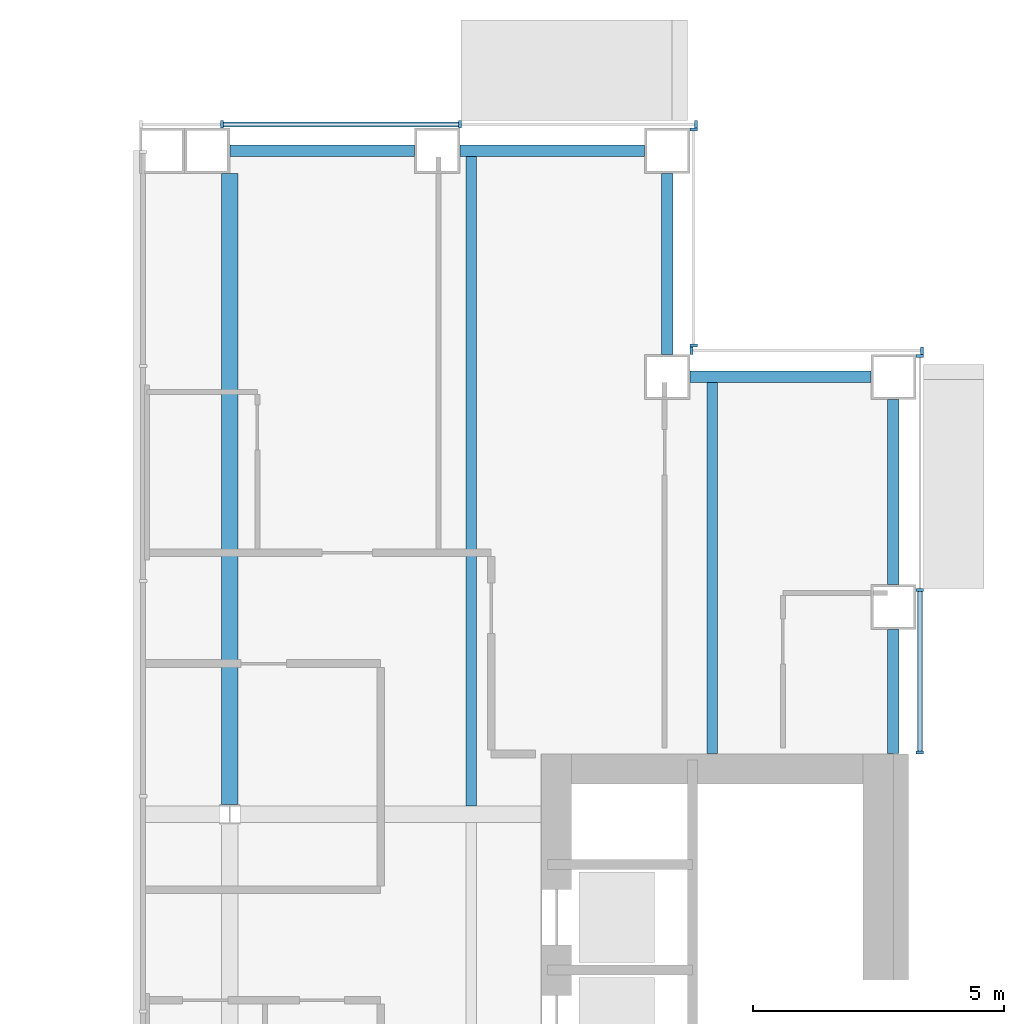
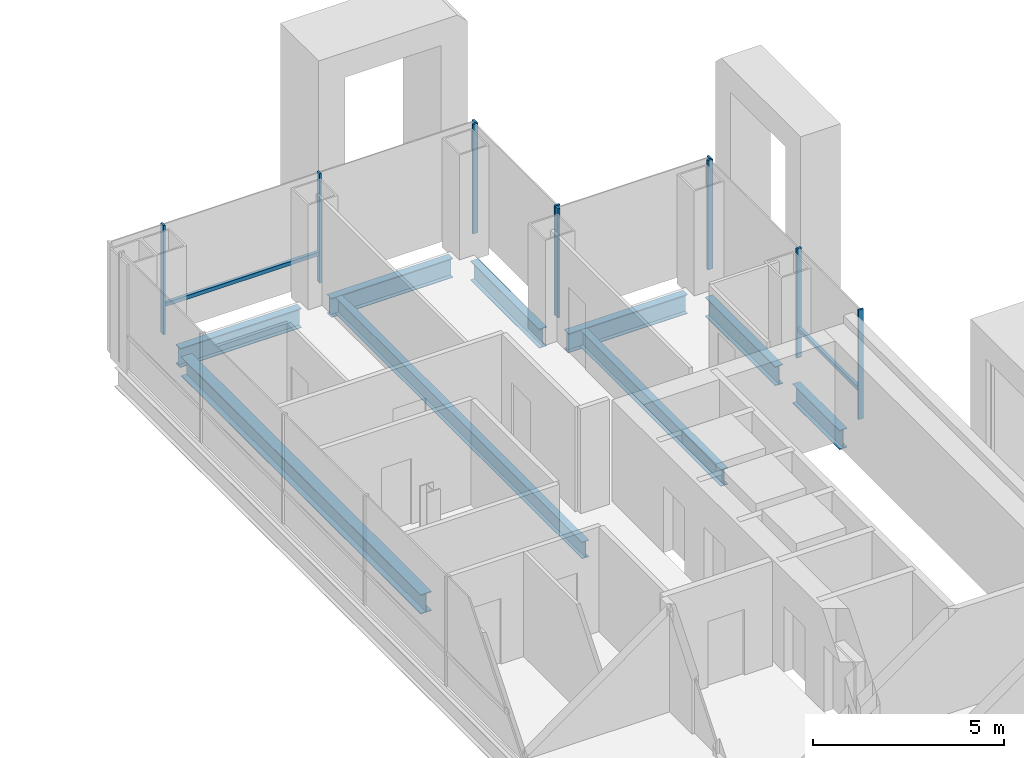
# One storey, part 9 of 20: 12 members, 9 beams, 4 elements without a shape of their own.
"""IFC4 building model written with IfcOpenShell, lengths in metres."""

from ifc_helpers import new_model, si_unit, direction, frame, origin, origin_2d, place, context, subcontext, project, spatial, rectangle, i_section, extrude, material, material_profile, profile_set, type_object, element, aggregate, save


model = new_model("IFC4")

# Units and contexts
model_context = context("Model", 3, precision=1e-05, world=origin(), true_north=direction((0.0, 1.0)))
body_context = subcontext(model_context, "Body", "Model", "MODEL_VIEW")
ifc_project = project(units=[si_unit("LENGTHUNIT", "METRE"), si_unit("AREAUNIT", "SQUARE_METRE"), si_unit("VOLUMEUNIT", "CUBIC_METRE"), si_unit("PLANEANGLEUNIT", "RADIAN"), si_unit("MASSUNIT", "GRAM", prefix="KILO")], contexts=[model_context])

# Site, building, storey
site_placement = place(None, origin())
site = spatial("IfcSite", under=ifc_project, at=site_placement, CompositionType="ELEMENT")
building_placement = place(site_placement, origin())
building = spatial("IfcBuilding", under=site, at=building_placement, Name="Cobrizo Arcos Hotel Tower", CompositionType="ELEMENT")
storey_placement = place(building_placement, frame((0.0, 0.0, 124.0)))
storey = spatial("IfcBuildingStorey", under=building, at=storey_placement, Name="L31", CompositionType="ELEMENT", Elevation=124.0)

# Curtain wall, members
ifc_material_1 = material(Name="Aluminium 6063-T6 anodised bronze", Category="aluminium")
curtain_wall_type = type_object("IfcCurtainWallType", Name="CW-A guest facade", PredefinedType="NOTDEFINED", material=ifc_material_1)
curtain_wall_1_placement = place(storey_placement, origin())
curtain_wall_1 = element("IfcCurtainWall", 1, at=curtain_wall_1_placement, inside=storey, type_object=curtain_wall_type, Name="CW-A L31 E face", PredefinedType="NOTDEFINED")
ifc_material_profile_1 = material_profile(ifc_material_1, rectangle(XDim=0.14990234375, YDim=0.06005859375, at=origin_2d()), Name="CW-A mullion 150x60")
ifc_profile_set_1 = profile_set([ifc_material_profile_1], Name="Aluminium 6063-T6 anodised bronze")
member_type_1 = type_object("IfcMemberType", Name="CW-A mullion 150x60", PredefinedType="MULLION", material=ifc_profile_set_1)
member_1_placement = place(storey_placement, frame((23.324951171875, 10.830078125, 0.0), z_axis=(0.0, 0.0, 1.0), x_axis=(1.0, 0.0, 0.0)))
member_1 = element("IfcMember", 2, at=member_1_placement, type_object=member_type_1, Name="CW-A mullion 1", PredefinedType="MULLION", context=body_context, shape_type="SweptSolid", body=[
    extrude(rectangle(XDim=0.14990234375, YDim=0.06005859375, at=origin_2d()), origin(), (0.0, 0.0, 1.0), 3.5),
])
member_2_placement = place(storey_placement, frame((23.324951171875, 14.0625, 0.0), z_axis=(0.0, 0.0, 1.0), x_axis=(1.0, 0.0, 0.0)))
member_2 = element("IfcMember", 3, at=member_2_placement, type_object=member_type_1, Name="CW-A mullion 2", PredefinedType="MULLION", context=body_context, shape_type="SweptSolid", body=[
    extrude(rectangle(XDim=0.14990234375, YDim=0.06005859375, at=origin_2d()), origin(), (0.0, 0.0, 1.0), 3.5),
])
member_3_placement = place(storey_placement, frame((23.324951171875, 18.719970703125, 0.0), z_axis=(0.0, 0.0, 1.0), x_axis=(1.0, 0.0, 0.0)))
member_3 = element("IfcMember", 4, at=member_3_placement, type_object=member_type_1, Name="CW-A mullion 3", PredefinedType="MULLION", context=body_context, shape_type="SweptSolid", body=[
    extrude(rectangle(XDim=0.14990234375, YDim=0.06005859375, at=origin_2d()), origin(), (0.0, 0.0, 1.0), 3.5),
])

curtain_wall_2_placement = place(storey_placement, origin())
curtain_wall_2 = element("IfcCurtainWall", 5, at=curtain_wall_2_placement, inside=storey, type_object=curtain_wall_type, Name="CW-A L31 N face", PredefinedType="NOTDEFINED")
member_4_placement = place(storey_placement, frame((23.3701171875, 18.824951171875, 0.0), z_axis=(0.0, 0.0, 1.0), x_axis=(0.0, 1.0, 0.0)))
member_4 = element("IfcMember", 6, at=member_4_placement, type_object=member_type_1, Name="CW-A mullion 1", PredefinedType="MULLION", context=body_context, shape_type="SweptSolid", body=[
    extrude(rectangle(XDim=0.14990234375, YDim=0.06005859375, at=origin_2d()), origin(), (0.0, 0.0, 1.0), 3.5),
])
member_5_placement = place(storey_placement, frame((18.780029296875, 18.824951171875, 0.0), z_axis=(0.0, 0.0, 1.0), x_axis=(0.0, 1.0, 0.0)))
member_5 = element("IfcMember", 7, at=member_5_placement, type_object=member_type_1, Name="CW-A mullion 2", PredefinedType="MULLION", context=body_context, shape_type="SweptSolid", body=[
    extrude(rectangle(XDim=0.14990234375, YDim=0.06005859375, at=origin_2d()), origin(), (0.0, 0.0, 1.0), 3.5),
])
aggregate(curtain_wall_2, [member_4, member_5])

curtain_wall_3_placement = place(storey_placement, origin())
curtain_wall_3 = element("IfcCurtainWall", 8, at=curtain_wall_3_placement, inside=storey, type_object=curtain_wall_type, Name="CW-A L31 E face", PredefinedType="NOTDEFINED")
member_6_placement = place(storey_placement, frame((18.824951171875, 18.929931640625, 0.0), z_axis=(0.0, 0.0, 1.0), x_axis=(1.0, 0.0, 0.0)))
member_6 = element("IfcMember", 9, at=member_6_placement, type_object=member_type_1, Name="CW-A mullion 1", PredefinedType="MULLION", context=body_context, shape_type="SweptSolid", body=[
    extrude(rectangle(XDim=0.14990234375, YDim=0.06005859375, at=origin_2d()), origin(), (0.0, 0.0, 1.0), 3.5),
])
member_7_placement = place(storey_placement, frame((18.824951171875, 23.219970703125, 0.0), z_axis=(0.0, 0.0, 1.0), x_axis=(1.0, 0.0, 0.0)))
member_7 = element("IfcMember", 10, at=member_7_placement, type_object=member_type_1, Name="CW-A mullion 2", PredefinedType="MULLION", context=body_context, shape_type="SweptSolid", body=[
    extrude(rectangle(XDim=0.14990234375, YDim=0.06005859375, at=origin_2d()), origin(), (0.0, 0.0, 1.0), 3.5),
])
aggregate(curtain_wall_3, [member_6, member_7])

curtain_wall_4_placement = place(storey_placement, origin())
curtain_wall_4 = element("IfcCurtainWall", 11, at=curtain_wall_4_placement, inside=storey, type_object=curtain_wall_type, Name="CW-A L31 N face", PredefinedType="NOTDEFINED")
member_8_placement = place(storey_placement, frame((18.8701171875, 23.324951171875, 0.0), z_axis=(0.0, 0.0, 1.0), x_axis=(0.0, 1.0, 0.0)))
member_8 = element("IfcMember", 12, at=member_8_placement, type_object=member_type_1, Name="CW-A mullion 1", PredefinedType="MULLION", context=body_context, shape_type="SweptSolid", body=[
    extrude(rectangle(XDim=0.14990234375, YDim=0.06005859375, at=origin_2d()), origin(), (0.0, 0.0, 1.0), 3.5),
])
member_9_placement = place(storey_placement, frame((14.175048828125, 23.324951171875, 0.0), z_axis=(0.0, 0.0, 1.0), x_axis=(0.0, 1.0, 0.0)))
member_9 = element("IfcMember", 13, at=member_9_placement, type_object=member_type_1, Name="CW-A mullion 2", PredefinedType="MULLION", context=body_context, shape_type="SweptSolid", body=[
    extrude(rectangle(XDim=0.14990234375, YDim=0.06005859375, at=origin_2d()), origin(), (0.0, 0.0, 1.0), 3.5),
])
member_10_placement = place(storey_placement, frame((9.449951171875, 23.324951171875, 0.0), z_axis=(0.0, 0.0, 1.0), x_axis=(0.0, 1.0, 0.0)))
member_10 = element("IfcMember", 14, at=member_10_placement, type_object=member_type_1, Name="CW-A mullion 3", PredefinedType="MULLION", context=body_context, shape_type="SweptSolid", body=[
    extrude(rectangle(XDim=0.14990234375, YDim=0.06005859375, at=origin_2d()), origin(), (0.0, 0.0, 1.0), 3.5),
])

# Member
ifc_material_profile_2 = material_profile(ifc_material_1, rectangle(XDim=0.10009765625, YDim=0.1201171875, at=origin_2d()), Name="CW-A transom 120x100")
ifc_profile_set_2 = profile_set([ifc_material_profile_2], Name="Aluminium 6063-T6 anodised bronze")
member_type_2 = type_object("IfcMemberType", Name="CW-A transom 120x100", PredefinedType="USERDEFINED", material=ifc_profile_set_2)
member_11_placement = place(storey_placement, frame((23.324951171875, 10.860107421875, 0.929931640625), z_axis=(0.0, 1.0, 0.0), x_axis=(-1.0, 0.0, 0.0)))
member_11 = element("IfcMember", 15, at=member_11_placement, type_object=member_type_2, Name="CW-A transom 1173", ObjectType="TRANSOM", PredefinedType="USERDEFINED", context=body_context, shape_type="SweptSolid", body=[
    extrude(rectangle(XDim=0.10009765625, YDim=0.1201171875, at=origin_2d()), origin(), (0.0, 0.0, 1.0), 3.17236328125),
])

aggregate(curtain_wall_1, [member_1, member_2, member_3, member_11])

member_12_placement = place(storey_placement, frame((14.14501953125, 23.324951171875, 0.929931640625), z_axis=(-1.0, 0.0, 0.0), x_axis=(0.0, -1.0, 0.0)))
member_12 = element("IfcMember", 16, at=member_12_placement, type_object=member_type_2, Name="CW-A transom 1178", ObjectType="TRANSOM", PredefinedType="USERDEFINED", context=body_context, shape_type="SweptSolid", body=[
    extrude(rectangle(XDim=0.10009765625, YDim=0.1201171875, at=origin_2d()), origin(), (0.0, 0.0, 1.0), 4.6650390625),
])

aggregate(curtain_wall_4, [member_8, member_9, member_10, member_12])

# Beams
ifc_material_2 = material(Name="Steel ASTM A992 Grade 50", Category="steel")
ifc_material_profile_3 = material_profile(ifc_material_2, i_section(OverallWidth=0.209228515625, OverallDepth=0.533447265625, WebThickness=0.01025390625, FlangeThickness=0.015625, at=origin_2d()), Name="W21X62")
ifc_profile_set_3 = profile_set([ifc_material_profile_3], Name="Steel ASTM A992 Grade 50")
beam_type_1 = type_object("IfcBeamType", Name="W21X62 joist", PredefinedType="JOIST", material=ifc_profile_set_3)
beam_1_placement = place(storey_placement, frame((14.39990234375, 9.763916015625, -0.416748046875), z_axis=(0.0, 1.0, 0.0), x_axis=(-1.0, 0.0, 0.0)))
element("IfcBeam", 17, at=beam_1_placement, inside=storey, type_object=beam_type_1, Name="Floor joist J1, L31, no. 010", PredefinedType="JOIST", context=body_context, shape_type="SweptSolid", body=[
    extrude(i_section(OverallWidth=0.209228515625, OverallDepth=0.533447265625, WebThickness=0.01025390625, FlangeThickness=0.015625, at=origin_2d()), origin(), (0.0, 0.0, 1.0), 12.946044921875),
])
beam_2_placement = place(storey_placement, frame((19.199951171875, 10.81005859375, -0.416748046875), z_axis=(0.0, 1.0, 0.0), x_axis=(-1.0, 0.0, 0.0)))
element("IfcBeam", 18, at=beam_2_placement, inside=storey, type_object=beam_type_1, Name="Floor joist J1, L31, no. 012", PredefinedType="JOIST", context=body_context, shape_type="SweptSolid", body=[
    extrude(i_section(OverallWidth=0.209228515625, OverallDepth=0.533447265625, WebThickness=0.01025390625, FlangeThickness=0.015625, at=origin_2d()), origin(), (0.0, 0.0, 1.0), 7.39990234375),
])
ifc_material_profile_4 = material_profile(ifc_material_2, i_section(OverallWidth=0.32763671875, OverallDepth=0.622314453125, WebThickness=0.015380859375, FlangeThickness=0.0244140625, at=origin_2d()), Name="W24X131")
ifc_profile_set_4 = profile_set([ifc_material_profile_4], Name="Steel ASTM A992 Grade 50")
beam_type_2 = type_object("IfcBeamType", Name="W24X131 girder", PredefinedType="BEAM", material=ifc_profile_set_4)
beam_3_placement = place(storey_placement, frame((9.60009765625, 9.79931640625, -0.461181640625), z_axis=(0.0, 1.0, 0.0), x_axis=(-1.0, 0.0, 0.0)))
element("IfcBeam", 19, at=beam_3_placement, inside=storey, type_object=beam_type_2, Name="Floor girder G1, L31, no. 019", PredefinedType="BEAM", context=body_context, shape_type="SweptSolid", body=[
    extrude(i_section(OverallWidth=0.32763671875, OverallDepth=0.622314453125, WebThickness=0.015380859375, FlangeThickness=0.0244140625, at=origin_2d()), origin(), (0.0, 0.0, 1.0), 12.55078125),
])
ifc_material_profile_5 = material_profile(ifc_material_2, i_section(OverallWidth=0.23046875, OverallDepth=0.6171875, WebThickness=0.01318359375, FlangeThickness=0.022216796875, at=origin_2d()), Name="W24X94")
ifc_profile_set_5 = profile_set([ifc_material_profile_5], Name="Steel ASTM A992 Grade 50")
beam_type_3 = type_object("IfcBeamType", Name="W24X94 spandrel", PredefinedType="SPANDREL", material=ifc_profile_set_5)
beam_4_placement = place(storey_placement, frame((18.75, 18.300048828125, -0.45849609375), z_axis=(1.0, 0.0, 0.0), x_axis=(0.0, 1.0, 0.0)))
element("IfcBeam", 20, at=beam_4_placement, inside=storey, type_object=beam_type_3, Name="Spandrel beam W24X94, L31, no. 001", PredefinedType="SPANDREL", context=body_context, shape_type="SweptSolid", body=[
    extrude(i_section(OverallWidth=0.23046875, OverallDepth=0.6171875, WebThickness=0.01318359375, FlangeThickness=0.022216796875, at=origin_2d()), origin(), (0.0, 0.0, 1.0), 3.60009765625),
])
beam_5_placement = place(storey_placement, frame((22.800048828125, 17.85009765625, -0.45849609375), z_axis=(0.0, -1.0, 0.0), x_axis=(1.0, 0.0, 0.0)))
element("IfcBeam", 21, at=beam_5_placement, inside=storey, type_object=beam_type_3, Name="Spandrel beam W24X94, L31, no. 002", PredefinedType="SPANDREL", context=body_context, shape_type="SweptSolid", body=[
    extrude(i_section(OverallWidth=0.23046875, OverallDepth=0.6171875, WebThickness=0.01318359375, FlangeThickness=0.022216796875, at=origin_2d()), origin(), (0.0, 0.0, 1.0), 3.675048828125),
])
beam_6_placement = place(storey_placement, frame((22.800048828125, 13.27490234375, -0.45849609375), z_axis=(0.0, -1.0, 0.0), x_axis=(1.0, 0.0, 0.0)))
element("IfcBeam", 22, at=beam_6_placement, inside=storey, type_object=beam_type_3, Name="Spandrel beam W24X94, L31, no. 003", PredefinedType="SPANDREL", context=body_context, shape_type="SweptSolid", body=[
    extrude(i_section(OverallWidth=0.23046875, OverallDepth=0.6171875, WebThickness=0.01318359375, FlangeThickness=0.022216796875, at=origin_2d()), origin(), (0.0, 0.0, 1.0), 2.46484375),
])
beam_7_placement = place(storey_placement, frame((9.60009765625, 22.800048828125, -0.45849609375), z_axis=(1.0, 0.0, 0.0), x_axis=(0.0, 1.0, 0.0)))
element("IfcBeam", 23, at=beam_7_placement, inside=storey, type_object=beam_type_3, Name="Spandrel beam W24X94, L31, no. 026", PredefinedType="SPANDREL", context=body_context, shape_type="SweptSolid", body=[
    extrude(i_section(OverallWidth=0.23046875, OverallDepth=0.6171875, WebThickness=0.01318359375, FlangeThickness=0.022216796875, at=origin_2d()), origin(), (0.0, 0.0, 1.0), 3.6748046875),
])
beam_8_placement = place(storey_placement, frame((14.175048828125, 22.800048828125, -0.45849609375), z_axis=(1.0, 0.0, 0.0), x_axis=(0.0, 1.0, 0.0)))
element("IfcBeam", 24, at=beam_8_placement, inside=storey, type_object=beam_type_3, Name="Spandrel beam W24X94, L31, no. 027", PredefinedType="SPANDREL", context=body_context, shape_type="SweptSolid", body=[
    extrude(i_section(OverallWidth=0.23046875, OverallDepth=0.6171875, WebThickness=0.01318359375, FlangeThickness=0.022216796875, at=origin_2d()), origin(), (0.0, 0.0, 1.0), 3.675048828125),
])
beam_9_placement = place(storey_placement, frame((18.300048828125, 22.35009765625, -0.45849609375), z_axis=(0.0, -1.0, 0.0), x_axis=(1.0, 0.0, 0.0)))
element("IfcBeam", 25, at=beam_9_placement, inside=storey, type_object=beam_type_3, Name="Spandrel beam W24X94, L31, no. 028", PredefinedType="SPANDREL", context=body_context, shape_type="SweptSolid", body=[
    extrude(i_section(OverallWidth=0.23046875, OverallDepth=0.6171875, WebThickness=0.01318359375, FlangeThickness=0.022216796875, at=origin_2d()), origin(), (0.0, 0.0, 1.0), 3.60009765625),
])

save(model, "model.ifc")
